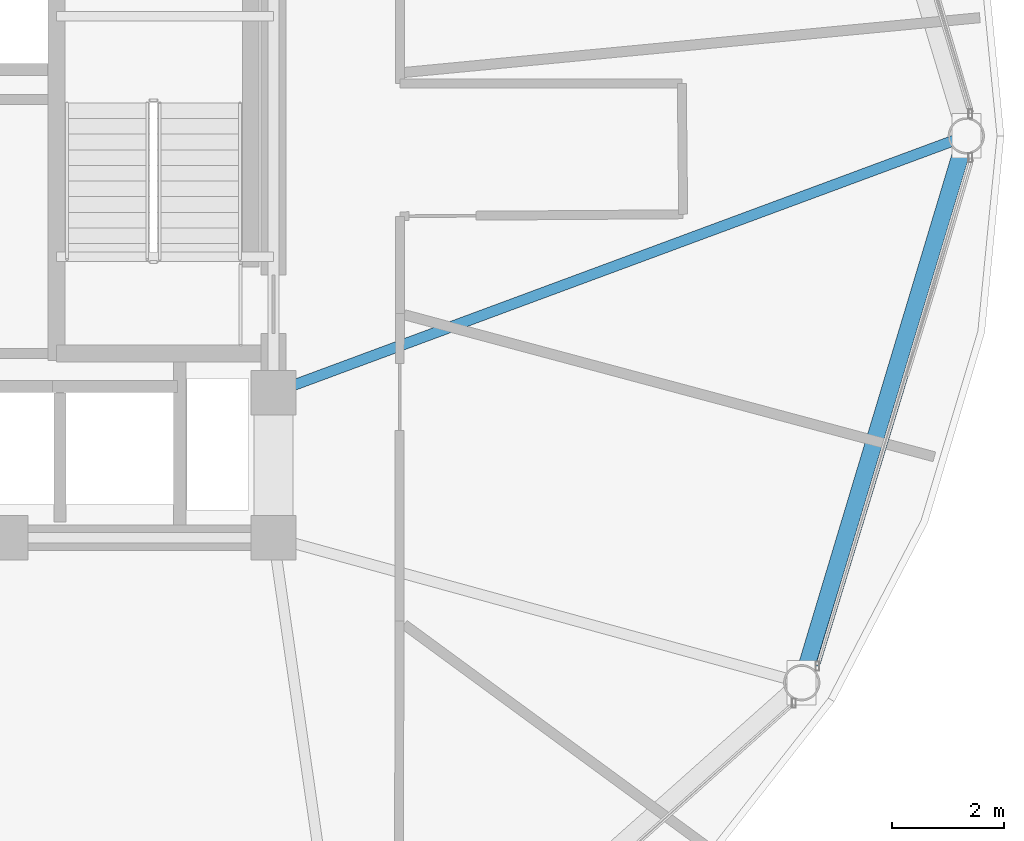
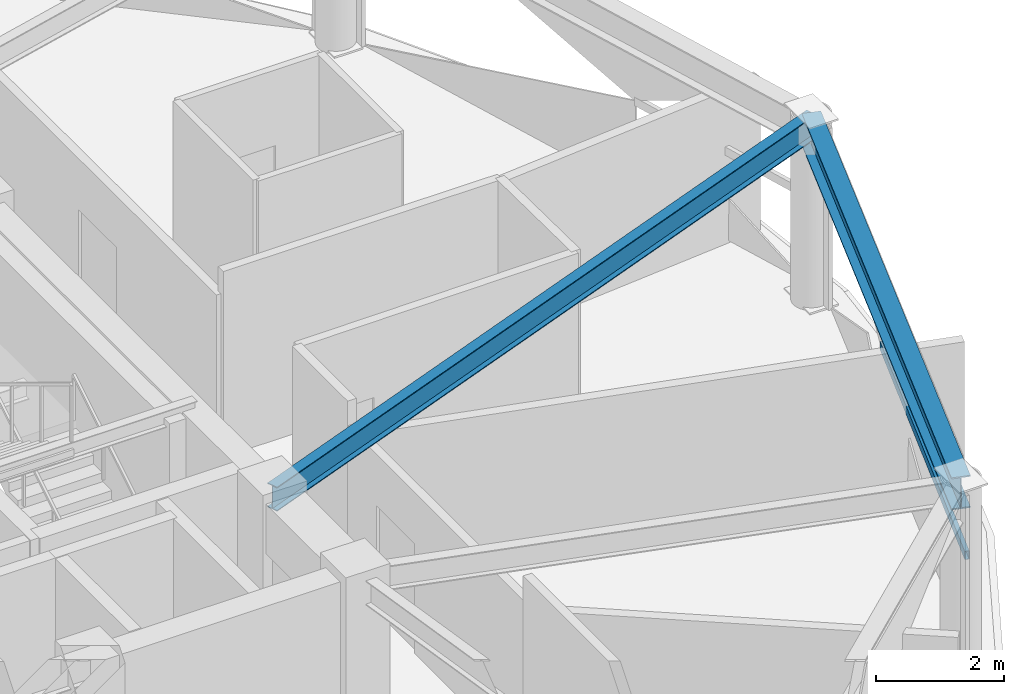
# One storey, part 12 of 28: 2 beams, 1 member, 1 element without a shape of its own.
"""IFC4 building model written with IfcOpenShell, lengths in metres."""

from ifc_helpers import new_model, si_unit, direction, frame, origin, origin_2d, place, context, subcontext, project, spatial, hollow_rectangle, i_section, extrude, material, layer, layer_set, material_profile, profile_set, type_object, element, aggregate, save


model = new_model("IFC4")

# Units and contexts
model_context = context("Model", 3, precision=1e-05, world=origin(), true_north=direction((0.0, 1.0)))
body_context = subcontext(model_context, "Body", "Model", "MODEL_VIEW")
ifc_project = project(units=[si_unit("LENGTHUNIT", "METRE"), si_unit("AREAUNIT", "SQUARE_METRE"), si_unit("VOLUMEUNIT", "CUBIC_METRE"), si_unit("PLANEANGLEUNIT", "RADIAN"), si_unit("MASSUNIT", "GRAM", prefix="KILO")], contexts=[model_context])

# Site, building, storey
site_placement = place(None, origin())
site = spatial("IfcSite", under=ifc_project, at=site_placement, CompositionType="ELEMENT")
building_placement = place(site_placement, origin())
building = spatial("IfcBuilding", under=site, at=building_placement, Name="Vantalir Tower", CompositionType="ELEMENT")
storey_placement = place(building_placement, frame((0.0, 0.0, 223.64990234375)))
storey = spatial("IfcBuildingStorey", under=building, at=storey_placement, Name="L56", CompositionType="ELEMENT", Elevation=223.64990234375)

# Beams
ifc_material_1 = material(Name="Steel S355", Category="steel")
ifc_material_profile_1 = material_profile(ifc_material_1, i_section(OverallWidth=0.19189453125, OverallDepth=0.462890625, WebThickness=0.010498046875, FlangeThickness=0.017578125, at=origin_2d()), Name="Steel S355")
ifc_profile_set_1 = profile_set([ifc_material_profile_1], Name="Steel S355")
beam_type_1 = type_object("IfcBeamType", Name="BM-RB-457x191", PredefinedType="BEAM", material=ifc_profile_set_1)
beam_1_placement = place(storey_placement, frame((53.512939453125, 25.0, 3.338134765625), z_axis=(-0.937681112374, -0.34749695178, 0.0), x_axis=(0.34749695178, -0.937681112374, 0.0)))
element("IfcBeam", 1, at=beam_1_placement, inside=storey, type_object=beam_type_1, Name="L56 Radial Floor Beam 01", PredefinedType="BEAM", context=body_context, shape_type="SweptSolid", body=[
    extrude(i_section(OverallWidth=0.19189453125, OverallDepth=0.462890625, WebThickness=0.010498046875, FlangeThickness=0.017578125, at=origin_2d()), origin(), (0.0, 0.0, 1.0), 13.23779296875),
])
ifc_material_2 = material(Name="Steel S460", Category="steel")
ifc_material_profile_2 = material_profile(ifc_material_2, i_section(OverallWidth=0.306884765625, OverallDepth=0.6201171875, WebThickness=0.01416015625, FlangeThickness=0.023681640625, at=origin_2d()), Name="Steel S460")
ifc_profile_set_2 = profile_set([ifc_material_profile_2], Name="Steel S460")
beam_type_2 = type_object("IfcBeamType", Name="BM-RG-610x305", PredefinedType="USERDEFINED", material=ifc_profile_set_2)
beam_2_placement = place(storey_placement, frame((50.56396484375, 15.201904296875, 3.260009765625), z_axis=(0.288203662464, 0.957569135333, 0.0), x_axis=(-0.957569135333, 0.288203662464, 0.0)))
element("IfcBeam", 2, at=beam_2_placement, inside=storey, type_object=beam_type_2, Name="L56 Circumferential Ring Girder 12", ObjectType="GIRDER", PredefinedType="USERDEFINED", context=body_context, shape_type="SweptSolid", body=[
    extrude(i_section(OverallWidth=0.306884765625, OverallDepth=0.6201171875, WebThickness=0.01416015625, FlangeThickness=0.023681640625, at=origin_2d()), origin(), (0.0, 0.0, 1.0), 10.232177734375),
])

# Curtain wall, member
ifc_material_3 = material(Name="Champagne-silver PVDF aluminium and double-silver Low-E glass", Category="aluminium")
ifc_layer = layer(ifc_material_3, 0.2099609375)
ifc_layer_set = layer_set([ifc_layer], Name="Champagne-silver PVDF aluminium and double-silver Low-E glass")
curtain_wall_type = type_object("IfcCurtainWallType", Name="CW-DIAMOND-Z3", PredefinedType="USERDEFINED", material=ifc_layer_set)
curtain_wall_placement = place(storey_placement, origin())
curtain_wall = element("IfcCurtainWall", 3, at=curtain_wall_placement, inside=storey, type_object=curtain_wall_type, Name="L56 Quilted Pyramid-Diamond Curtain Wall S12", ObjectType="UNITISED CURTAIN WALL", PredefinedType="USERDEFINED")
ifc_material_4 = material(Name="Champagne-silver PVDF aluminium 6063-T6", Category="aluminium")
ifc_material_profile_3 = material_profile(ifc_material_4, hollow_rectangle(XDim=0.074951171875, YDim=0.159912109375, WallThickness=0.00390625, at=origin_2d()), Name="Champagne-silver PVDF aluminium 6063-T6")
ifc_profile_set_3 = profile_set([ifc_material_profile_3], Name="Champagne-silver PVDF aluminium 6063-T6")
member_type = type_object("IfcMemberType", Name="CWT-160x75", PredefinedType="USERDEFINED", material=ifc_profile_set_3)
member_placement = place(storey_placement, frame((50.845947265625, 15.5, 1.78515625), z_axis=(0.291938837117, 0.956436989761, 0.0), x_axis=(-0.956436989761, 0.291938837117, 0.0)))
member = element("IfcMember", 4, at=member_placement, type_object=member_type, Name="CW-L56-S12 Pyramid Fold Ridge Transom", ObjectType="TRANSOM", PredefinedType="USERDEFINED", context=body_context, shape_type="SweptSolid", body=[
    extrude(hollow_rectangle(XDim=0.074951171875, YDim=0.159912109375, WallThickness=0.00390625, at=origin_2d()), origin(), (0.0, 0.0, 1.0), 5.899169921875),
])
aggregate(curtain_wall, [member])

save(model, "model.ifc")
